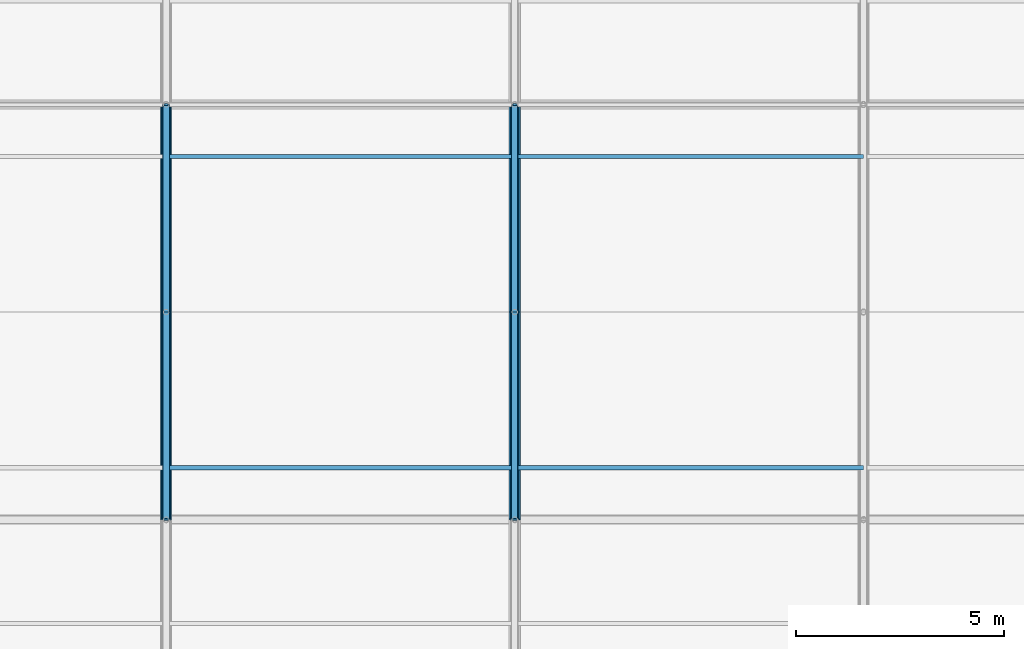
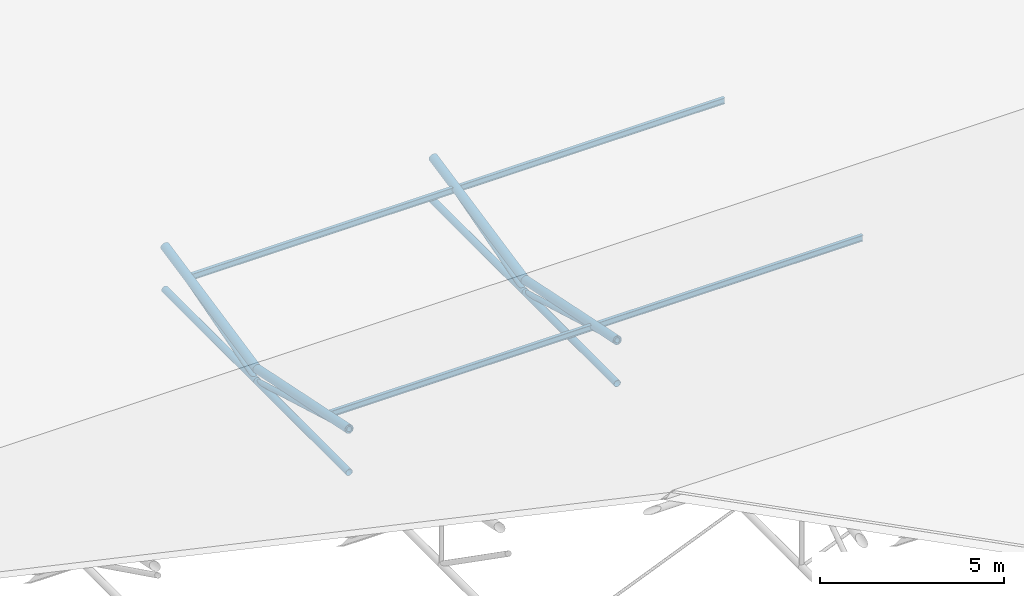
# One storey, part 91 of 194: 12 members, 4 beams.
"""IFC4 building model written with IfcOpenShell, lengths in metres."""

from ifc_helpers import new_model, si_unit, direction, frame, origin, origin_2d, place, context, subcontext, project, spatial, hollow_circle, i_section, extrude, material, material_profile, profile_set, type_object, element, save


model = new_model("IFC4")

# Units and contexts
model_context = context("Model", 3, precision=1e-05, world=origin(), true_north=direction((0.0, 1.0)))
body_context = subcontext(model_context, "Body", "Model", "MODEL_VIEW")
ifc_project = project(units=[si_unit("LENGTHUNIT", "METRE"), si_unit("AREAUNIT", "SQUARE_METRE"), si_unit("VOLUMEUNIT", "CUBIC_METRE"), si_unit("PLANEANGLEUNIT", "RADIAN"), si_unit("MASSUNIT", "GRAM", prefix="KILO")], contexts=[model_context])

# Site, building, storey
site_placement = place(None, origin())
site = spatial("IfcSite", under=ifc_project, at=site_placement, CompositionType="ELEMENT")
building_placement = place(site_placement, origin())
building = spatial("IfcBuilding", under=site, at=building_placement, Name="Kazenagashi Tramway Depot", CompositionType="ELEMENT")
storey_placement = place(building_placement, frame((0.0, 0.0, 23.7)))
storey = spatial("IfcBuildingStorey", under=building, at=storey_placement, Name="ROOF", CompositionType="ELEMENT", Elevation=23.7)

# Beams
ifc_material_1 = material(Name="Steel SN400B", Category="steel")
ifc_material_profile_1 = material_profile(ifc_material_1, i_section(OverallWidth=0.1, OverallDepth=0.2, WebThickness=0.0055, FlangeThickness=0.008, at=origin_2d()), Name="H-200x100x5.5x8")
ifc_profile_set_1 = profile_set([ifc_material_profile_1], Name="Steel SN400B")
beam_type = type_object("IfcBeamType", Name="PR-01", PredefinedType="USERDEFINED", material=ifc_profile_set_1)
for number, where, z_axis, x_axis, name in (
    (1, (145.6, 96.25, -12.955), (1.0, 0.0, 0.0), (0.0, 1.0, 0.0), "Beam PR-01 BM-2120"),
    (2, (154.0, 96.25, -12.955), (1.0, 0.0, 0.0), (0.0, 1.0, 0.0), "Beam PR-01 BM-2121"),
    (3, (145.6, 103.75, -12.955), (1.0, 0.0, 0.0), (0.0, 1.0, 0.0), "Beam PR-01 BM-2138"),
    (4, (154.0, 103.75, -12.955), (1.0, 0.0, 0.0), (0.0, 1.0, 0.0), "Beam PR-01 BM-2139"),
):
    element("IfcBeam", number, at=place(storey_placement, frame(where, z_axis=z_axis, x_axis=x_axis)), inside=storey, type_object=beam_type, Name=name, ObjectType="PURLIN", PredefinedType="USERDEFINED", context=body_context, shape_type="SweptSolid", body=[
        extrude(i_section(OverallWidth=0.1, OverallDepth=0.2, WebThickness=0.0055, FlangeThickness=0.008, at=origin_2d()), origin(), (0.0, 0.0, 1.0), 8.4),
    ])

# Members
ifc_material_2 = material(Name="Steel STK490", Category="steel")
ifc_material_profile_2 = material_profile(ifc_material_2, hollow_circle(Radius=0.1337, WallThickness=0.0093, at=origin_2d()), Name="CHS-267.4x9.3")
ifc_profile_set_2 = profile_set([ifc_material_profile_2], Name="Steel STK490")
member_type_1 = type_object("IfcMemberType", Name="TC-01", PredefinedType="CHORD", material=ifc_profile_set_2)
for number, where, z_axis, x_axis, name in (
    (5, (145.6, 95.0, -12.667), (0.0, 0.979317999984, -0.202327098797), (-1.0, 0.0, 0.0), "Tubular Space Frame TC-01 MEM-0748"),
    (6, (145.6, 100.0, -13.7), (0.0, 0.979317999984, 0.202327098797), (-1.0, 0.0, 0.0), "Tubular Space Frame TC-01 MEM-0764"),
    (7, (154.0, 95.0, -12.667), (0.0, 0.979317999984, -0.202327098797), (-1.0, 0.0, 0.0), "Tubular Space Frame TC-01 MEM-0809"),
    (8, (154.0, 100.0, -13.7), (0.0, 0.979317999984, 0.202327098797), (-1.0, 0.0, 0.0), "Tubular Space Frame TC-01 MEM-0825"),
):
    element("IfcMember", number, at=place(storey_placement, frame(where, z_axis=z_axis, x_axis=x_axis)), inside=storey, type_object=member_type_1, Name=name, PredefinedType="CHORD", context=body_context, shape_type="SweptSolid", body=[
        extrude(hollow_circle(Radius=0.1337, WallThickness=0.0093, at=origin_2d()), origin(), (0.0, 0.0, 1.0), 5.105594),
    ])
ifc_material_profile_3 = material_profile(ifc_material_2, hollow_circle(Radius=0.10815, WallThickness=0.0082, at=origin_2d()), Name="CHS-216.3x8.2")
ifc_profile_set_3 = profile_set([ifc_material_profile_3], Name="Steel STK490")
member_type_2 = type_object("IfcMemberType", Name="TC-02", PredefinedType="CHORD", material=ifc_profile_set_3)
for number, where, z_axis, x_axis, name in (
    (9, (145.6, 95.0, -14.1), (0.0, 1.0, 0.0), (-1.0, 0.0, 0.0), "Tubular Space Frame TC-02 MEM-0749"),
    (10, (145.6, 100.0, -14.1), (0.0, 1.0, 0.0), (-1.0, 0.0, 0.0), "Tubular Space Frame TC-02 MEM-0765"),
    (11, (154.0, 95.0, -14.1), (0.0, 1.0, 0.0), (-1.0, 0.0, 0.0), "Tubular Space Frame TC-02 MEM-0810"),
    (12, (154.0, 100.0, -14.1), (0.0, 1.0, 0.0), (-1.0, 0.0, 0.0), "Tubular Space Frame TC-02 MEM-0826"),
):
    element("IfcMember", number, at=place(storey_placement, frame(where, z_axis=z_axis, x_axis=x_axis)), inside=storey, type_object=member_type_2, Name=name, PredefinedType="CHORD", context=body_context, shape_type="SweptSolid", body=[
        extrude(hollow_circle(Radius=0.10815, WallThickness=0.0082, at=origin_2d()), origin(), (0.0, 0.0, 1.0), 5.0),
    ])
ifc_material_profile_4 = material_profile(ifc_material_2, hollow_circle(Radius=0.0826, WallThickness=0.0071, at=origin_2d()), Name="CHS-165.2x7.1")
ifc_profile_set_4 = profile_set([ifc_material_profile_4], Name="Steel STK490")
member_type_3 = type_object("IfcMemberType", Name="TS-01", PredefinedType="STRUT", material=ifc_profile_set_4)
for number, where, z_axis, x_axis, name in (
    (13, (145.6, 95.0, -12.667), (0.0, 0.961298717795, -0.27550821252), (-1.0, 0.0, 0.0), "Tubular Space Frame TS-01 MEM-0750"),
    (14, (145.6, 100.0, -14.1), (0.0, 0.961298717795, 0.27550821252), (-1.0, 0.0, 0.0), "Tubular Space Frame TS-01 MEM-0766"),
    (15, (154.0, 95.0, -12.667), (0.0, 0.961298717795, -0.27550821252), (-1.0, 0.0, 0.0), "Tubular Space Frame TS-01 MEM-0811"),
    (16, (154.0, 100.0, -14.1), (0.0, 0.961298717795, 0.27550821252), (-1.0, 0.0, 0.0), "Tubular Space Frame TS-01 MEM-0827"),
):
    element("IfcMember", number, at=place(storey_placement, frame(where, z_axis=z_axis, x_axis=x_axis)), inside=storey, type_object=member_type_3, Name=name, PredefinedType="STRUT", context=body_context, shape_type="SweptSolid", body=[
        extrude(hollow_circle(Radius=0.0826, WallThickness=0.0071, at=origin_2d()), origin(), (0.0, 0.0, 1.0), 5.201297),
    ])

save(model, "model.ifc")
